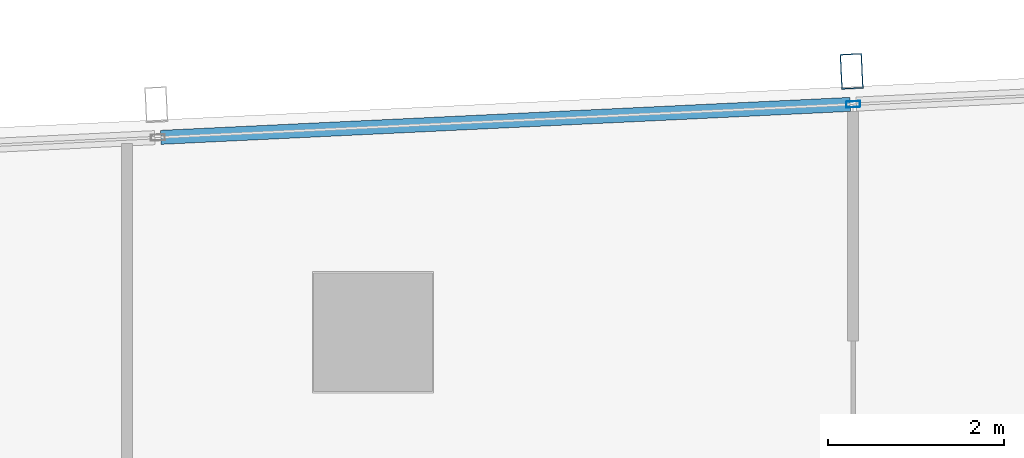
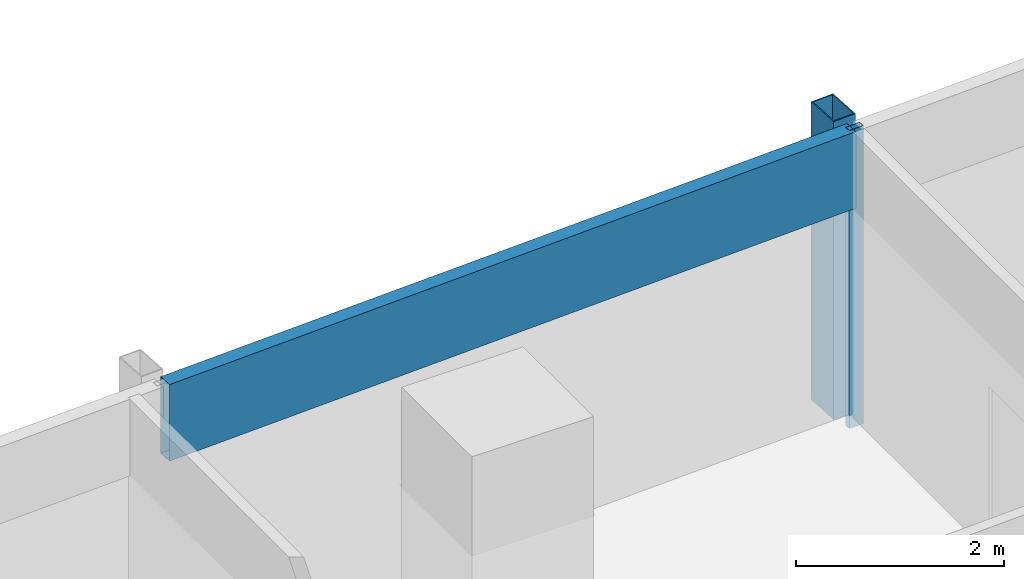
# One storey, part 19 of 39: 3 members, 1 element without a shape of its own.
"""IFC4 building model written with IfcOpenShell, lengths in metres."""

from ifc_helpers import new_model, si_unit, direction, frame, origin, origin_2d, place, context, subcontext, project, spatial, hollow_rectangle, extrude, material, material_profile, profile_set, type_object, element, aggregate, save


model = new_model("IFC4")

# Units and contexts
model_context = context("Model", 3, precision=1e-05, world=origin(), true_north=direction((0.0, 1.0)))
body_context = subcontext(model_context, "Body", "Model", "MODEL_VIEW")
ifc_project = project(units=[si_unit("LENGTHUNIT", "METRE"), si_unit("AREAUNIT", "SQUARE_METRE"), si_unit("VOLUMEUNIT", "CUBIC_METRE"), si_unit("PLANEANGLEUNIT", "RADIAN"), si_unit("MASSUNIT", "GRAM", prefix="KILO")], contexts=[model_context])

# Site, building, storey
site_placement = place(None, origin())
site = spatial("IfcSite", under=ifc_project, at=site_placement, CompositionType="ELEMENT")
building_placement = place(site_placement, origin())
building = spatial("IfcBuilding", under=site, at=building_placement, Name="Rekha Terrace Tower", CompositionType="ELEMENT")
storey_placement = place(building_placement, frame((0.0, 0.0, 225.199951171875)))
storey = spatial("IfcBuildingStorey", under=building, at=storey_placement, Name="L57", CompositionType="ELEMENT", Elevation=225.199951171875)

# Curtain wall, members
ifc_material_1 = material(Name="Aluminium framing", Category="aluminium")
curtain_wall_type = type_object("IfcCurtainWallType", Name="CW3 north unitised glazing", PredefinedType="USERDEFINED", material=ifc_material_1)
curtain_wall_placement = place(storey_placement, origin())
curtain_wall = element("IfcCurtainWall", 1, at=curtain_wall_placement, inside=storey, type_object=curtain_wall_type, Name="CW3 unitised curtain wall", ObjectType="UNITISED CURTAIN WALL", PredefinedType="USERDEFINED")
ifc_material_2 = material(Name="Steel S355 with fluorocarbon finish", Category="steel")
ifc_material_profile_1 = material_profile(ifc_material_2, hollow_rectangle(XDim=0.25, YDim=0.39990234375, WallThickness=0.012451171875, at=origin_2d()), Name="RHS400x250x12.5")
ifc_profile_set_1 = profile_set([ifc_material_profile_1], Name="Steel S355 with fluorocarbon finish")
member_type_1 = type_object("IfcMemberType", Name="BL1 facade blade RHS 400 x 250", PredefinedType="USERDEFINED", material=ifc_profile_set_1)
member_1_placement = place(storey_placement, frame((30.643310546875, 61.767578125, 0.0), z_axis=(0.0, 0.0, 1.0), x_axis=(-0.998858913274, -0.04775846913, 0.0)))
member_1 = element("IfcMember", 2, at=member_1_placement, type_object=member_type_1, Name="Facade blade", ObjectType="FACADE BLADE", PredefinedType="USERDEFINED", context=body_context, shape_type="SweptSolid", body=[
    extrude(hollow_rectangle(XDim=0.25, YDim=0.39990234375, WallThickness=0.012451171875, at=origin_2d()), origin(), (0.0, 0.0, 1.0), 3.5),
])
ifc_material_3 = material(Name="Aluminium mullion section", Category="aluminium")
ifc_material_profile_2 = material_profile(ifc_material_3, hollow_rectangle(XDim=0.070068359375, YDim=0.159912109375, WallThickness=0.00390625, at=origin_2d()), Name="AL RHS 70x160")
ifc_profile_set_2 = profile_set([ifc_material_profile_2], Name="Aluminium mullion section")
member_type_2 = type_object("IfcMemberType", Name="CW3 mullion RHS 70 x 160", PredefinedType="MULLION", material=ifc_profile_set_2)
member_2_placement = place(storey_placement, frame((30.6611328125, 61.39306640625, 0.0), z_axis=(0.0, 0.0, 1.0), x_axis=(0.047758616983, -0.998858906204, 0.0)))
member_2 = element("IfcMember", 3, at=member_2_placement, type_object=member_type_2, Name="CW3 mullion 3", PredefinedType="MULLION", context=body_context, shape_type="SweptSolid", body=[
    extrude(hollow_rectangle(XDim=0.070068359375, YDim=0.159912109375, WallThickness=0.00390625, at=origin_2d()), origin(), (0.0, 0.0, 1.0), 3.5),
])
ifc_material_4 = material(Name="Insulated aluminium spandrel box", Category="aluminium")
ifc_material_profile_3 = material_profile(ifc_material_4, hollow_rectangle(XDim=0.159912109375, YDim=0.89990234375, WallThickness=0.0029296875, at=origin_2d()), Name="AL SPANDREL BOX 160x900")
ifc_profile_set_3 = profile_set([ifc_material_profile_3], Name="Insulated aluminium spandrel box")
member_type_3 = type_object("IfcMemberType", Name="CW3 spandrel transom 160 x 900", PredefinedType="USERDEFINED", material=ifc_profile_set_3)
member_3_placement = place(storey_placement, frame((30.626220703125, 61.391357421875, 3.050048828125), z_axis=(-0.998859323292, -0.047749892907, 0.0), x_axis=(0.047749892907, -0.998859323292, 0.0)))
member_3 = element("IfcMember", 4, at=member_3_placement, type_object=member_type_3, Name="CW3 spandrel transom 3", ObjectType="TRANSOM", PredefinedType="USERDEFINED", context=body_context, shape_type="SweptSolid", body=[
    extrude(hollow_rectangle(XDim=0.159912109375, YDim=0.89990234375, WallThickness=0.0029296875, at=origin_2d()), origin(), (0.0, 0.0, 1.0), 7.848388671875),
])
aggregate(curtain_wall, [member_2, member_3, member_1])

save(model, "model.ifc")
